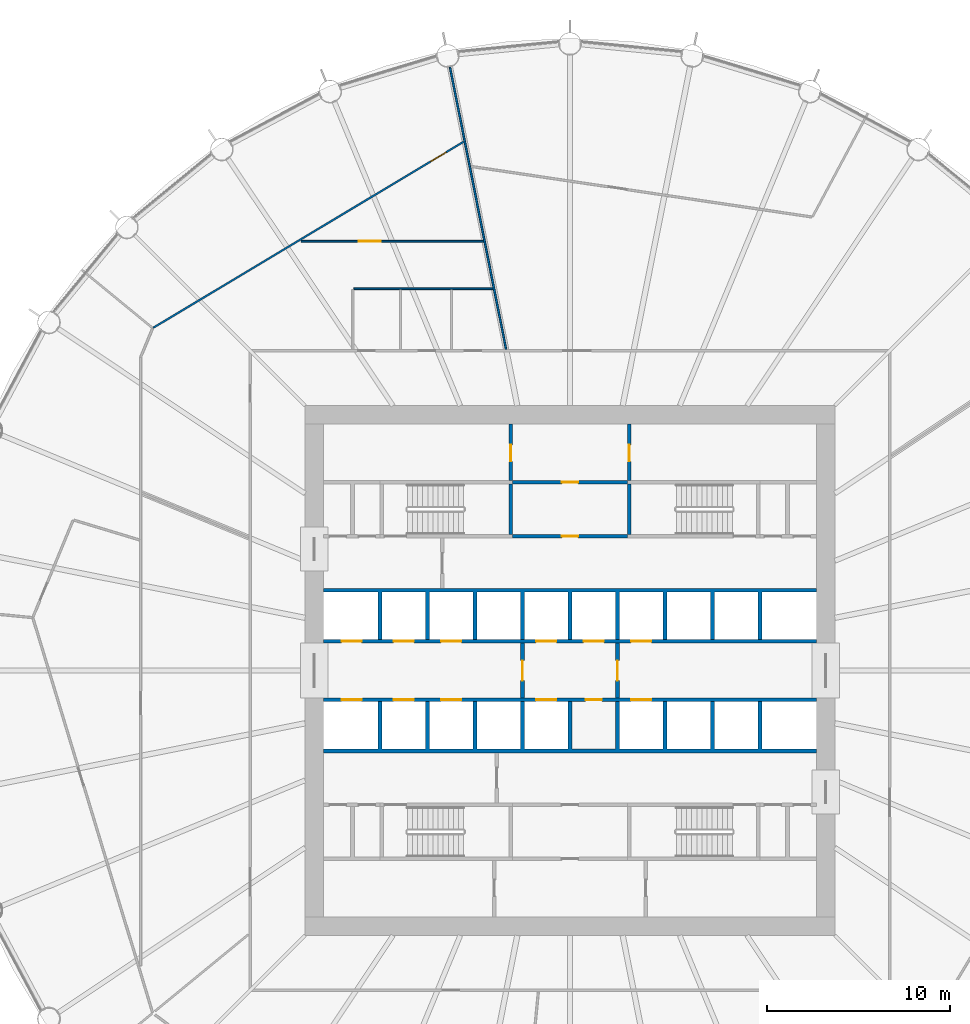
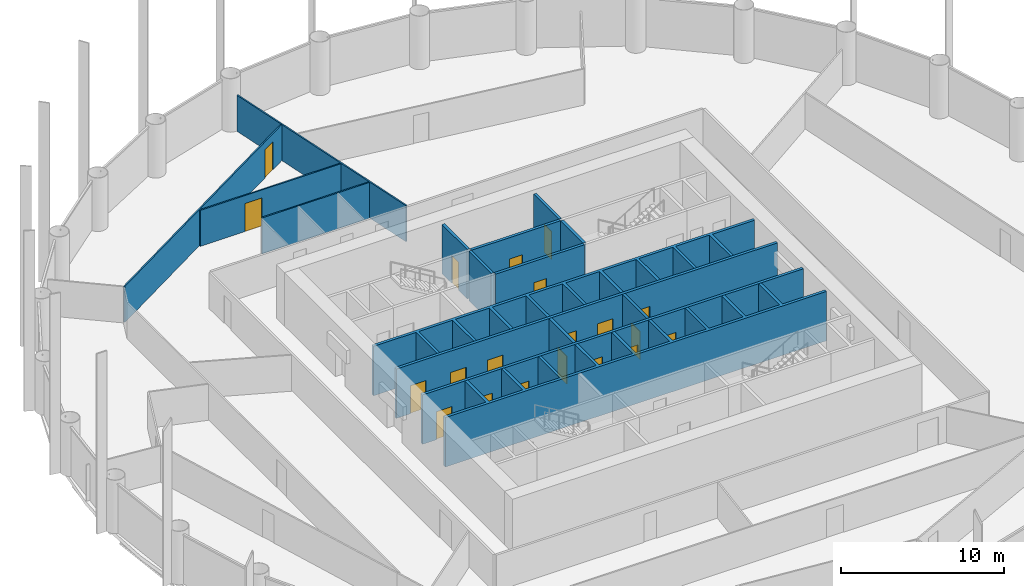
# One storey, part 6 of 10: 20 doors, 16 walls, 20 openings.
"""IFC4 building model written with IfcOpenShell, lengths in metres."""

from ifc_helpers import new_model, si_unit, direction, frame, frame_2d, origin, place, context, subcontext, project, spatial, polyline, rectangle, outline, extrude, material, layer, layer_set, type_object, element, fill, save


model = new_model("IFC4")

# Units and contexts
model_context = context("Model", 3, precision=1e-05, world=origin(), true_north=direction((0.0, 1.0)))
body_context = subcontext(model_context, "Body", "Model", "MODEL_VIEW")
ifc_project = project(units=[si_unit("LENGTHUNIT", "METRE"), si_unit("AREAUNIT", "SQUARE_METRE"), si_unit("VOLUMEUNIT", "CUBIC_METRE"), si_unit("PLANEANGLEUNIT", "RADIAN"), si_unit("MASSUNIT", "GRAM", prefix="KILO")], contexts=[model_context])

# Site, building, storey
site_placement = place(None, origin())
site = spatial("IfcSite", under=ifc_project, at=site_placement, CompositionType="ELEMENT")
building_placement = place(site_placement, origin())
building = spatial("IfcBuilding", under=site, at=building_placement, Name="Corvane Civic Tower", CompositionType="ELEMENT")
storey_placement = place(building_placement, frame((0.0, 0.0, 130.5)))
storey = spatial("IfcBuildingStorey", under=building, at=storey_placement, Name="L30", CompositionType="ELEMENT", Elevation=130.5)

# Wall, openings, doors
ifc_material_1 = material(Name="Concrete C30/37", Category="concrete")
ifc_layer_1 = layer(ifc_material_1, 0.199951171875)
ifc_layer_set_1 = layer_set([ifc_layer_1], Name="Concrete C30/37")
wall_type_1 = type_object("IfcWallType", Name="CR-WALL-200", PredefinedType="PARTITIONING", material=ifc_layer_set_1)
wall_1_placement = place(storey_placement, frame((-13.5, -1.60009765625, 0.0), z_axis=(0.0, 0.0, 1.0), x_axis=(1.0, 0.0, 0.0)))
wall_1 = element("IfcWall", 1, at=wall_1_placement, inside=storey, type_object=wall_type_1, Name="L30 lift shaft wall", PredefinedType="PARTITIONING", context=body_context, shape_type="SweptSolid", body=[
    extrude(rectangle(XDim=27.0, YDim=0.199951171875, at=frame_2d((13.5, 0.0))), origin(), (0.0, 0.0, 1.0), 3.699951171875),
])
opening_1_placement = place(wall_1_placement, frame((1.0, 0.0, 0.0)))
opening_1 = element("IfcOpeningElement", 2, at=opening_1_placement, cuts=wall_1, Name="Opening LD", PredefinedType="OPENING", context=body_context, shape_type="SweptSolid", body=[
    extrude(rectangle(XDim=1.10009765625, YDim=2.10009765625, at=frame_2d((0.550048828125, 1.050048828125))), frame((0.0, 0.10986328125, 0.0), z_axis=(0.0, -1.0, 0.0), x_axis=(1.0, 0.0, 0.0)), (0.0, 0.0, 1.0), 0.219970703125),
])
opening_2_placement = place(wall_1_placement, frame((3.85009765625, 0.0, 0.0)))
opening_2 = element("IfcOpeningElement", 3, at=opening_2_placement, cuts=wall_1, Name="Opening LD", PredefinedType="OPENING", context=body_context, shape_type="SweptSolid", body=[
    extrude(rectangle(XDim=1.10009765625, YDim=2.10009765625, at=frame_2d((0.550048828125, 1.050048828125))), frame((0.0, 0.10986328125, 0.0), z_axis=(0.0, -1.0, 0.0), x_axis=(1.0, 0.0, 0.0)), (0.0, 0.0, 1.0), 0.219970703125),
])
opening_3_placement = place(wall_1_placement, frame((6.449951171875, 0.0, 0.0)))
opening_3 = element("IfcOpeningElement", 4, at=opening_3_placement, cuts=wall_1, Name="Opening LD", PredefinedType="OPENING", context=body_context, shape_type="SweptSolid", body=[
    extrude(rectangle(XDim=1.10009765625, YDim=2.10009765625, at=frame_2d((0.550048828125, 1.050048828125))), frame((0.0, 0.10986328125, 0.0), z_axis=(0.0, -1.0, 0.0), x_axis=(1.0, 0.0, 0.0)), (0.0, 0.0, 1.0), 0.219970703125),
])
opening_4_placement = place(wall_1_placement, frame((11.64990234375, 0.0, 0.0)))
opening_4 = element("IfcOpeningElement", 5, at=opening_4_placement, cuts=wall_1, Name="Opening LD", PredefinedType="OPENING", context=body_context, shape_type="SweptSolid", body=[
    extrude(rectangle(XDim=1.10009765625, YDim=2.10009765625, at=frame_2d((0.550048828125, 1.050048828125))), frame((0.0, 0.10986328125, 0.0), z_axis=(0.0, -1.0, 0.0), x_axis=(1.0, 0.0, 0.0)), (0.0, 0.0, 1.0), 0.219970703125),
])
opening_5_placement = place(wall_1_placement, frame((14.35009765625, 0.0, 0.0)))
opening_5 = element("IfcOpeningElement", 6, at=opening_5_placement, cuts=wall_1, Name="Opening L30.C01", PredefinedType="OPENING", context=body_context, shape_type="SweptSolid", body=[
    extrude(rectangle(XDim=0.89990234375, YDim=2.10009765625, at=frame_2d((0.449951171875, 1.050048828125))), frame((0.0, 0.10986328125, 0.0), z_axis=(0.0, -1.0, 0.0), x_axis=(1.0, 0.0, 0.0)), (0.0, 0.0, 1.0), 0.219970703125),
])
opening_6_placement = place(wall_1_placement, frame((16.85009765625, 0.0, 0.0)))
opening_6 = element("IfcOpeningElement", 7, at=opening_6_placement, cuts=wall_1, Name="Opening LD", PredefinedType="OPENING", context=body_context, shape_type="SweptSolid", body=[
    extrude(rectangle(XDim=1.10009765625, YDim=2.10009765625, at=frame_2d((0.550048828125, 1.050048828125))), frame((0.0, 0.10986328125, 0.0), z_axis=(0.0, -1.0, 0.0), x_axis=(1.0, 0.0, 0.0)), (0.0, 0.0, 1.0), 0.219970703125),
])
ifc_material_2 = material(Name="Steel fire door leaf", Category="steel")
door_type_1 = type_object("IfcDoorType", Name="CR-DOOR-900", OperationType="SINGLE_SWING_LEFT", PredefinedType="DOOR", material=ifc_material_2)
door_1_placement = place(opening_5_placement, origin())
door_1 = element("IfcDoor", 8, at=door_1_placement, inside=storey, type_object=door_type_1, Name="L30 door", OperationType="SINGLE_SWING_LEFT", OverallHeight=2.10009765625, OverallWidth=0.89990234375, PredefinedType="DOOR", context=body_context, shape_type="SweptSolid", body=[
    extrude(rectangle(XDim=0.89990234375, YDim=2.10009765625, at=frame_2d((0.449951171875, 1.050048828125))), frame((0.0, 0.02490234375, 0.0), z_axis=(0.0, -1.0, 0.0), x_axis=(1.0, 0.0, 0.0)), (0.0, 0.0, 1.0), 0.050048828125),
])
fill(opening_5, door_1)
ifc_material_3 = material(Name="Stainless steel 316 door leaves", Category="steel")
door_type_2 = type_object("IfcDoorType", Name="LD", OperationType="DOUBLE_DOOR_SLIDING", PredefinedType="DOOR", material=ifc_material_3)
door_2_placement = place(opening_1_placement, origin())
door_2 = element("IfcDoor", 9, at=door_2_placement, inside=storey, type_object=door_type_2, Name="L30 landing door", OperationType="DOUBLE_DOOR_SLIDING", OverallHeight=2.10009765625, OverallWidth=1.10009765625, PredefinedType="DOOR", context=body_context, shape_type="SweptSolid", body=[
    extrude(rectangle(XDim=1.10009765625, YDim=2.10009765625, at=frame_2d((0.550048828125, 1.050048828125))), frame((0.0, 0.02490234375, 0.0), z_axis=(0.0, -1.0, 0.0), x_axis=(1.0, 0.0, 0.0)), (0.0, 0.0, 1.0), 0.050048828125),
])
fill(opening_1, door_2)
door_3_placement = place(opening_2_placement, origin())
door_3 = element("IfcDoor", 10, at=door_3_placement, inside=storey, type_object=door_type_2, Name="L30 landing door", OperationType="DOUBLE_DOOR_SLIDING", OverallHeight=2.10009765625, OverallWidth=1.10009765625, PredefinedType="DOOR", context=body_context, shape_type="SweptSolid", body=[
    extrude(rectangle(XDim=1.10009765625, YDim=2.10009765625, at=frame_2d((0.550048828125, 1.050048828125))), frame((0.0, 0.02490234375, 0.0), z_axis=(0.0, -1.0, 0.0), x_axis=(1.0, 0.0, 0.0)), (0.0, 0.0, 1.0), 0.050048828125),
])
fill(opening_2, door_3)
door_4_placement = place(opening_3_placement, origin())
door_4 = element("IfcDoor", 11, at=door_4_placement, inside=storey, type_object=door_type_2, Name="L30 landing door", OperationType="DOUBLE_DOOR_SLIDING", OverallHeight=2.10009765625, OverallWidth=1.10009765625, PredefinedType="DOOR", context=body_context, shape_type="SweptSolid", body=[
    extrude(rectangle(XDim=1.10009765625, YDim=2.10009765625, at=frame_2d((0.550048828125, 1.050048828125))), frame((0.0, 0.02490234375, 0.0), z_axis=(0.0, -1.0, 0.0), x_axis=(1.0, 0.0, 0.0)), (0.0, 0.0, 1.0), 0.050048828125),
])
fill(opening_3, door_4)
door_5_placement = place(opening_4_placement, origin())
door_5 = element("IfcDoor", 12, at=door_5_placement, inside=storey, type_object=door_type_2, Name="L30 landing door", OperationType="DOUBLE_DOOR_SLIDING", OverallHeight=2.10009765625, OverallWidth=1.10009765625, PredefinedType="DOOR", context=body_context, shape_type="SweptSolid", body=[
    extrude(rectangle(XDim=1.10009765625, YDim=2.10009765625, at=frame_2d((0.550048828125, 1.050048828125))), frame((0.0, 0.02490234375, 0.0), z_axis=(0.0, -1.0, 0.0), x_axis=(1.0, 0.0, 0.0)), (0.0, 0.0, 1.0), 0.050048828125),
])
fill(opening_4, door_5)
door_6_placement = place(opening_6_placement, origin())
door_6 = element("IfcDoor", 13, at=door_6_placement, inside=storey, type_object=door_type_2, Name="L30 landing door", OperationType="DOUBLE_DOOR_SLIDING", OverallHeight=2.10009765625, OverallWidth=1.10009765625, PredefinedType="DOOR", context=body_context, shape_type="SweptSolid", body=[
    extrude(rectangle(XDim=1.10009765625, YDim=2.10009765625, at=frame_2d((0.550048828125, 1.050048828125))), frame((0.0, 0.02490234375, 0.0), z_axis=(0.0, -1.0, 0.0), x_axis=(1.0, 0.0, 0.0)), (0.0, 0.0, 1.0), 0.050048828125),
])
fill(opening_6, door_6)

wall_2_placement = place(storey_placement, frame((-13.5, 1.60009765625, 0.0), z_axis=(0.0, 0.0, 1.0), x_axis=(1.0, 0.0, 0.0)))
wall_2 = element("IfcWall", 14, at=wall_2_placement, inside=storey, type_object=wall_type_1, Name="L30 lift shaft wall", PredefinedType="PARTITIONING", context=body_context, shape_type="SweptSolid", body=[
    extrude(rectangle(XDim=27.0, YDim=0.199951171875, at=frame_2d((13.5, 0.0))), origin(), (0.0, 0.0, 1.0), 3.699951171875),
])
opening_7_placement = place(wall_2_placement, frame((1.0, 0.0, 0.0)))
opening_7 = element("IfcOpeningElement", 15, at=opening_7_placement, cuts=wall_2, Name="Opening LD", PredefinedType="OPENING", context=body_context, shape_type="SweptSolid", body=[
    extrude(rectangle(XDim=1.10009765625, YDim=2.10009765625, at=frame_2d((0.550048828125, 1.050048828125))), frame((0.0, 0.10986328125, 0.0), z_axis=(0.0, -1.0, 0.0), x_axis=(1.0, 0.0, 0.0)), (0.0, 0.0, 1.0), 0.219970703125),
])
opening_8_placement = place(wall_2_placement, frame((3.85009765625, 0.0, 0.0)))
opening_8 = element("IfcOpeningElement", 16, at=opening_8_placement, cuts=wall_2, Name="Opening LD", PredefinedType="OPENING", context=body_context, shape_type="SweptSolid", body=[
    extrude(rectangle(XDim=1.10009765625, YDim=2.10009765625, at=frame_2d((0.550048828125, 1.050048828125))), frame((0.0, 0.10986328125, 0.0), z_axis=(0.0, -1.0, 0.0), x_axis=(1.0, 0.0, 0.0)), (0.0, 0.0, 1.0), 0.219970703125),
])
opening_9_placement = place(wall_2_placement, frame((6.449951171875, 0.0, 0.0)))
opening_9 = element("IfcOpeningElement", 17, at=opening_9_placement, cuts=wall_2, Name="Opening LD", PredefinedType="OPENING", context=body_context, shape_type="SweptSolid", body=[
    extrude(rectangle(XDim=1.10009765625, YDim=2.10009765625, at=frame_2d((0.550048828125, 1.050048828125))), frame((0.0, 0.10986328125, 0.0), z_axis=(0.0, -1.0, 0.0), x_axis=(1.0, 0.0, 0.0)), (0.0, 0.0, 1.0), 0.219970703125),
])
opening_10_placement = place(wall_2_placement, frame((11.64990234375, 0.0, 0.0)))
opening_10 = element("IfcOpeningElement", 18, at=opening_10_placement, cuts=wall_2, Name="Opening LD", PredefinedType="OPENING", context=body_context, shape_type="SweptSolid", body=[
    extrude(rectangle(XDim=1.10009765625, YDim=2.10009765625, at=frame_2d((0.550048828125, 1.050048828125))), frame((0.0, 0.10986328125, 0.0), z_axis=(0.0, -1.0, 0.0), x_axis=(1.0, 0.0, 0.0)), (0.0, 0.0, 1.0), 0.219970703125),
])
opening_11_placement = place(wall_2_placement, frame((14.25, 0.0, 0.0)))
opening_11 = element("IfcOpeningElement", 19, at=opening_11_placement, cuts=wall_2, Name="Opening LD", PredefinedType="OPENING", context=body_context, shape_type="SweptSolid", body=[
    extrude(rectangle(XDim=1.10009765625, YDim=2.10009765625, at=frame_2d((0.550048828125, 1.050048828125))), frame((0.0, 0.10986328125, 0.0), z_axis=(0.0, -1.0, 0.0), x_axis=(1.0, 0.0, 0.0)), (0.0, 0.0, 1.0), 0.219970703125),
])
opening_12_placement = place(wall_2_placement, frame((16.85009765625, 0.0, 0.0)))
opening_12 = element("IfcOpeningElement", 20, at=opening_12_placement, cuts=wall_2, Name="Opening LD", PredefinedType="OPENING", context=body_context, shape_type="SweptSolid", body=[
    extrude(rectangle(XDim=1.10009765625, YDim=2.10009765625, at=frame_2d((0.550048828125, 1.050048828125))), frame((0.0, 0.10986328125, 0.0), z_axis=(0.0, -1.0, 0.0), x_axis=(1.0, 0.0, 0.0)), (0.0, 0.0, 1.0), 0.219970703125),
])
door_7_placement = place(opening_7_placement, origin())
door_7 = element("IfcDoor", 21, at=door_7_placement, inside=storey, type_object=door_type_2, Name="L30 landing door", OperationType="DOUBLE_DOOR_SLIDING", OverallHeight=2.10009765625, OverallWidth=1.10009765625, PredefinedType="DOOR", context=body_context, shape_type="SweptSolid", body=[
    extrude(rectangle(XDim=1.10009765625, YDim=2.10009765625, at=frame_2d((0.550048828125, 1.050048828125))), frame((0.0, 0.02490234375, 0.0), z_axis=(0.0, -1.0, 0.0), x_axis=(1.0, 0.0, 0.0)), (0.0, 0.0, 1.0), 0.050048828125),
])
fill(opening_7, door_7)
door_8_placement = place(opening_8_placement, origin())
door_8 = element("IfcDoor", 22, at=door_8_placement, inside=storey, type_object=door_type_2, Name="L30 landing door", OperationType="DOUBLE_DOOR_SLIDING", OverallHeight=2.10009765625, OverallWidth=1.10009765625, PredefinedType="DOOR", context=body_context, shape_type="SweptSolid", body=[
    extrude(rectangle(XDim=1.10009765625, YDim=2.10009765625, at=frame_2d((0.550048828125, 1.050048828125))), frame((0.0, 0.02490234375, 0.0), z_axis=(0.0, -1.0, 0.0), x_axis=(1.0, 0.0, 0.0)), (0.0, 0.0, 1.0), 0.050048828125),
])
fill(opening_8, door_8)
door_9_placement = place(opening_9_placement, origin())
door_9 = element("IfcDoor", 23, at=door_9_placement, inside=storey, type_object=door_type_2, Name="L30 landing door", OperationType="DOUBLE_DOOR_SLIDING", OverallHeight=2.10009765625, OverallWidth=1.10009765625, PredefinedType="DOOR", context=body_context, shape_type="SweptSolid", body=[
    extrude(rectangle(XDim=1.10009765625, YDim=2.10009765625, at=frame_2d((0.550048828125, 1.050048828125))), frame((0.0, 0.02490234375, 0.0), z_axis=(0.0, -1.0, 0.0), x_axis=(1.0, 0.0, 0.0)), (0.0, 0.0, 1.0), 0.050048828125),
])
fill(opening_9, door_9)
door_10_placement = place(opening_10_placement, origin())
door_10 = element("IfcDoor", 24, at=door_10_placement, inside=storey, type_object=door_type_2, Name="L30 landing door", OperationType="DOUBLE_DOOR_SLIDING", OverallHeight=2.10009765625, OverallWidth=1.10009765625, PredefinedType="DOOR", context=body_context, shape_type="SweptSolid", body=[
    extrude(rectangle(XDim=1.10009765625, YDim=2.10009765625, at=frame_2d((0.550048828125, 1.050048828125))), frame((0.0, 0.02490234375, 0.0), z_axis=(0.0, -1.0, 0.0), x_axis=(1.0, 0.0, 0.0)), (0.0, 0.0, 1.0), 0.050048828125),
])
fill(opening_10, door_10)
door_11_placement = place(opening_11_placement, origin())
door_11 = element("IfcDoor", 25, at=door_11_placement, inside=storey, type_object=door_type_2, Name="L30 landing door", OperationType="DOUBLE_DOOR_SLIDING", OverallHeight=2.10009765625, OverallWidth=1.10009765625, PredefinedType="DOOR", context=body_context, shape_type="SweptSolid", body=[
    extrude(rectangle(XDim=1.10009765625, YDim=2.10009765625, at=frame_2d((0.550048828125, 1.050048828125))), frame((0.0, 0.02490234375, 0.0), z_axis=(0.0, -1.0, 0.0), x_axis=(1.0, 0.0, 0.0)), (0.0, 0.0, 1.0), 0.050048828125),
])
fill(opening_11, door_11)
door_12_placement = place(opening_12_placement, origin())
door_12 = element("IfcDoor", 26, at=door_12_placement, inside=storey, type_object=door_type_2, Name="L30 landing door", OperationType="DOUBLE_DOOR_SLIDING", OverallHeight=2.10009765625, OverallWidth=1.10009765625, PredefinedType="DOOR", context=body_context, shape_type="SweptSolid", body=[
    extrude(rectangle(XDim=1.10009765625, YDim=2.10009765625, at=frame_2d((0.550048828125, 1.050048828125))), frame((0.0, 0.02490234375, 0.0), z_axis=(0.0, -1.0, 0.0), x_axis=(1.0, 0.0, 0.0)), (0.0, 0.0, 1.0), 0.050048828125),
])
fill(opening_12, door_12)

# Wall, opening, door
wall_3_placement = place(storey_placement, frame((-3.14990234375, 7.35009765625, 0.0), z_axis=(0.0, 0.0, 1.0), x_axis=(1.0, 0.0, 0.0)))
wall_3 = element("IfcWall", 27, at=wall_3_placement, inside=storey, type_object=wall_type_1, Name="L30 core partition wall", PredefinedType="PARTITIONING", context=body_context, shape_type="SweptSolid", body=[
    extrude(rectangle(XDim=6.2998046875, YDim=0.199951171875, at=frame_2d((3.14990234375, 0.0))), origin(), (0.0, 0.0, 1.0), 3.699951171875),
])
opening_13_placement = place(wall_3_placement, frame((2.699951171875, 0.0, 0.0)))
opening_13 = element("IfcOpeningElement", 28, at=opening_13_placement, cuts=wall_3, Name="Opening L30.C02", PredefinedType="OPENING", context=body_context, shape_type="SweptSolid", body=[
    extrude(rectangle(XDim=0.89990234375, YDim=2.10009765625, at=frame_2d((0.449951171875, 1.050048828125))), frame((0.0, 0.10986328125, 0.0), z_axis=(0.0, -1.0, 0.0), x_axis=(1.0, 0.0, 0.0)), (0.0, 0.0, 1.0), 0.219970703125),
])
door_13_placement = place(opening_13_placement, origin())
door_13 = element("IfcDoor", 29, at=door_13_placement, inside=storey, type_object=door_type_1, Name="L30 door", OperationType="SINGLE_SWING_LEFT", OverallHeight=2.10009765625, OverallWidth=0.89990234375, PredefinedType="DOOR", context=body_context, shape_type="SweptSolid", body=[
    extrude(rectangle(XDim=0.89990234375, YDim=2.10009765625, at=frame_2d((0.449951171875, 1.050048828125))), frame((0.0, 0.02490234375, 0.0), z_axis=(0.0, -1.0, 0.0), x_axis=(1.0, 0.0, 0.0)), (0.0, 0.0, 1.0), 0.050048828125),
])
fill(opening_13, door_13)

wall_4_placement = place(storey_placement, frame((-3.14990234375, 10.300048828125, 0.0), z_axis=(0.0, 0.0, 1.0), x_axis=(1.0, 0.0, 0.0)))
wall_4 = element("IfcWall", 30, at=wall_4_placement, inside=storey, type_object=wall_type_1, Name="L30 partition wall", PredefinedType="PARTITIONING", context=body_context, shape_type="SweptSolid", body=[
    extrude(rectangle(XDim=6.2998046875, YDim=0.199951171875, at=frame_2d((3.14990234375, 0.0))), origin(), (0.0, 0.0, 1.0), 3.699951171875),
])
opening_14_placement = place(wall_4_placement, frame((2.699951171875, 0.0, 0.0)))
opening_14 = element("IfcOpeningElement", 31, at=opening_14_placement, cuts=wall_4, Name="Opening L30.C05", PredefinedType="OPENING", context=body_context, shape_type="SweptSolid", body=[
    extrude(rectangle(XDim=0.89990234375, YDim=2.10009765625, at=frame_2d((0.449951171875, 1.050048828125))), frame((0.0, 0.10986328125, 0.0), z_axis=(0.0, -1.0, 0.0), x_axis=(1.0, 0.0, 0.0)), (0.0, 0.0, 1.0), 0.219970703125),
])
door_14_placement = place(opening_14_placement, origin())
door_14 = element("IfcDoor", 32, at=door_14_placement, inside=storey, type_object=door_type_1, Name="L30 door", OperationType="SINGLE_SWING_LEFT", OverallHeight=2.10009765625, OverallWidth=0.89990234375, PredefinedType="DOOR", context=body_context, shape_type="SweptSolid", body=[
    extrude(rectangle(XDim=0.89990234375, YDim=2.10009765625, at=frame_2d((0.449951171875, 1.050048828125))), frame((0.0, 0.02490234375, 0.0), z_axis=(0.0, -1.0, 0.0), x_axis=(1.0, 0.0, 0.0)), (0.0, 0.0, 1.0), 0.050048828125),
])
fill(opening_14, door_14)

wall_5_placement = place(storey_placement, frame((-3.25, 10.39990234375, 0.0), z_axis=(0.0, 0.0, 1.0), x_axis=(0.0, 1.0, 0.0)))
wall_5 = element("IfcWall", 33, at=wall_5_placement, inside=storey, type_object=wall_type_1, Name="L30 partition wall", PredefinedType="PARTITIONING", context=body_context, shape_type="SweptSolid", body=[
    extrude(rectangle(XDim=3.10009765625, YDim=0.199951171875, at=frame_2d((1.550048828125, 0.0))), origin(), (0.0, 0.0, 1.0), 3.699951171875),
])
opening_15_placement = place(wall_5_placement, frame((1.050048828125, 0.0, 0.0)))
opening_15 = element("IfcOpeningElement", 34, at=opening_15_placement, cuts=wall_5, Name="Opening L30.C04", PredefinedType="OPENING", context=body_context, shape_type="SweptSolid", body=[
    extrude(rectangle(XDim=0.89990234375, YDim=2.10009765625, at=frame_2d((0.449951171875, 1.050048828125))), frame((0.0, 0.10986328125, 0.0), z_axis=(0.0, -1.0, 0.0), x_axis=(1.0, 0.0, 0.0)), (0.0, 0.0, 1.0), 0.219970703125),
])
door_15_placement = place(opening_15_placement, origin())
door_15 = element("IfcDoor", 35, at=door_15_placement, inside=storey, type_object=door_type_1, Name="L30 door", OperationType="SINGLE_SWING_LEFT", OverallHeight=2.10009765625, OverallWidth=0.89990234375, PredefinedType="DOOR", context=body_context, shape_type="SweptSolid", body=[
    extrude(rectangle(XDim=0.89990234375, YDim=2.10009765625, at=frame_2d((0.449951171875, 1.050048828125))), frame((0.0, 0.02490234375, 0.0), z_axis=(0.0, -1.0, 0.0), x_axis=(1.0, 0.0, 0.0)), (0.0, 0.0, 1.0), 0.050048828125),
])
fill(opening_15, door_15)

wall_6_placement = place(storey_placement, frame((-2.60009765625, -1.5, 0.0), z_axis=(0.0, 0.0, 1.0), x_axis=(0.0, 1.0, 0.0)))
wall_6 = element("IfcWall", 36, at=wall_6_placement, inside=storey, type_object=wall_type_1, Name="L30 firefighting lobby wall", PredefinedType="PARTITIONING", context=body_context, shape_type="SweptSolid", body=[
    extrude(rectangle(XDim=3.0, YDim=0.199951171875, at=frame_2d((1.5, 0.0))), origin(), (0.0, 0.0, 1.0), 3.699951171875),
])
opening_16_placement = place(wall_6_placement, frame((0.949951171875, 0.0, 0.0)))
opening_16 = element("IfcOpeningElement", 37, at=opening_16_placement, cuts=wall_6, Name="Opening L30.C22", PredefinedType="OPENING", context=body_context, shape_type="SweptSolid", body=[
    extrude(rectangle(XDim=1.10009765625, YDim=2.10009765625, at=frame_2d((0.550048828125, 1.050048828125))), frame((0.0, 0.10986328125, 0.0), z_axis=(0.0, -1.0, 0.0), x_axis=(1.0, 0.0, 0.0)), (0.0, 0.0, 1.0), 0.219970703125),
])
ifc_material_4 = material(Name="Steel fire door leaf", Category="steel")
door_type_3 = type_object("IfcDoorType", Name="CR-DOOR-FFL-1100", OperationType="SINGLE_SWING_LEFT", PredefinedType="DOOR", material=ifc_material_4)
door_16_placement = place(opening_16_placement, origin())
door_16 = element("IfcDoor", 38, at=door_16_placement, inside=storey, type_object=door_type_3, Name="L30 lobby door", OperationType="SINGLE_SWING_LEFT", OverallHeight=2.10009765625, OverallWidth=1.10009765625, PredefinedType="DOOR", context=body_context, shape_type="SweptSolid", body=[
    extrude(rectangle(XDim=1.10009765625, YDim=2.10009765625, at=frame_2d((0.550048828125, 1.050048828125))), frame((0.0, 0.02490234375, 0.0), z_axis=(0.0, -1.0, 0.0), x_axis=(1.0, 0.0, 0.0)), (0.0, 0.0, 1.0), 0.050048828125),
])
fill(opening_16, door_16)

wall_7_placement = place(storey_placement, frame((2.60009765625, -1.5, 0.0), z_axis=(0.0, 0.0, 1.0), x_axis=(0.0, 1.0, 0.0)))
wall_7 = element("IfcWall", 39, at=wall_7_placement, inside=storey, type_object=wall_type_1, Name="L30 firefighting lobby wall", PredefinedType="PARTITIONING", context=body_context, shape_type="SweptSolid", body=[
    extrude(rectangle(XDim=3.0, YDim=0.199951171875, at=frame_2d((1.5, 0.0))), origin(), (0.0, 0.0, 1.0), 3.699951171875),
])
opening_17_placement = place(wall_7_placement, frame((0.949951171875, 0.0, 0.0)))
opening_17 = element("IfcOpeningElement", 40, at=opening_17_placement, cuts=wall_7, Name="Opening L30.C23", PredefinedType="OPENING", context=body_context, shape_type="SweptSolid", body=[
    extrude(rectangle(XDim=1.10009765625, YDim=2.10009765625, at=frame_2d((0.550048828125, 1.050048828125))), frame((0.0, 0.10986328125, 0.0), z_axis=(0.0, -1.0, 0.0), x_axis=(1.0, 0.0, 0.0)), (0.0, 0.0, 1.0), 0.219970703125),
])
door_17_placement = place(opening_17_placement, origin())
door_17 = element("IfcDoor", 41, at=door_17_placement, inside=storey, type_object=door_type_3, Name="L30 lobby door", OperationType="SINGLE_SWING_LEFT", OverallHeight=2.10009765625, OverallWidth=1.10009765625, PredefinedType="DOOR", context=body_context, shape_type="SweptSolid", body=[
    extrude(rectangle(XDim=1.10009765625, YDim=2.10009765625, at=frame_2d((0.550048828125, 1.050048828125))), frame((0.0, 0.02490234375, 0.0), z_axis=(0.0, -1.0, 0.0), x_axis=(1.0, 0.0, 0.0)), (0.0, 0.0, 1.0), 0.050048828125),
])
fill(opening_17, door_17)

wall_8_placement = place(storey_placement, frame((3.25, 10.39990234375, 0.0), z_axis=(0.0, 0.0, 1.0), x_axis=(0.0, 1.0, 0.0)))
wall_8 = element("IfcWall", 42, at=wall_8_placement, inside=storey, type_object=wall_type_1, Name="L30 partition wall", PredefinedType="PARTITIONING", context=body_context, shape_type="SweptSolid", body=[
    extrude(rectangle(XDim=3.10009765625, YDim=0.199951171875, at=frame_2d((1.550048828125, 0.0))), origin(), (0.0, 0.0, 1.0), 3.699951171875),
])
opening_18_placement = place(wall_8_placement, frame((1.050048828125, 0.0, 0.0)))
opening_18 = element("IfcOpeningElement", 43, at=opening_18_placement, cuts=wall_8, Name="Opening L30.C06", PredefinedType="OPENING", context=body_context, shape_type="SweptSolid", body=[
    extrude(rectangle(XDim=0.89990234375, YDim=2.10009765625, at=frame_2d((0.449951171875, 1.050048828125))), frame((0.0, 0.10986328125, 0.0), z_axis=(0.0, -1.0, 0.0), x_axis=(1.0, 0.0, 0.0)), (0.0, 0.0, 1.0), 0.219970703125),
])
door_18_placement = place(opening_18_placement, origin())
door_18 = element("IfcDoor", 44, at=door_18_placement, inside=storey, type_object=door_type_1, Name="L30 door", OperationType="SINGLE_SWING_LEFT", OverallHeight=2.10009765625, OverallWidth=0.89990234375, PredefinedType="DOOR", context=body_context, shape_type="SweptSolid", body=[
    extrude(rectangle(XDim=0.89990234375, YDim=2.10009765625, at=frame_2d((0.449951171875, 1.050048828125))), frame((0.0, 0.02490234375, 0.0), z_axis=(0.0, -1.0, 0.0), x_axis=(1.0, 0.0, 0.0)), (0.0, 0.0, 1.0), 0.050048828125),
])
fill(opening_18, door_18)

# Walls
wall_9_placement = place(storey_placement, origin())
element("IfcWall", 45, at=wall_9_placement, inside=storey, type_object=wall_type_1, Name="L30 core partition wall", PredefinedType="PARTITIONING", context=body_context, shape_type="SweptSolid", body=[
    extrude(outline(polyline([(-10.300048828125, -1.699951171875), (-10.300048828125, -4.300048828125), (-7.89990234375, -4.300048828125), (-7.89990234375, -1.699951171875), (-7.699951171875, -1.699951171875), (-7.699951171875, -4.300048828125), (-5.300048828125, -4.300048828125), (-5.300048828125, -1.699951171875), (-5.10009765625, -1.699951171875), (-5.10009765625, -4.300048828125), (-2.699951171875, -4.300048828125), (-2.699951171875, -1.699951171875), (-2.5, -1.699951171875), (-2.5, -4.300048828125), (-0.10009765625, -4.300048828125), (-0.10009765625, -1.699951171875), (0.10009765625, -1.699951171875), (0.10009765625, -4.300048828125), (2.5, -4.300048828125), (2.5, -1.699951171875), (2.699951171875, -1.699951171875), (2.699951171875, -4.300048828125), (5.10009765625, -4.300048828125), (5.10009765625, -1.699951171875), (5.300048828125, -1.699951171875), (5.300048828125, -4.300048828125), (7.699951171875, -4.300048828125), (7.699951171875, -1.699951171875), (7.89990234375, -1.699951171875), (7.89990234375, -4.300048828125), (10.300048828125, -4.300048828125), (10.300048828125, -1.699951171875), (10.5, -1.699951171875), (10.5, -4.300048828125), (13.5, -4.300048828125), (13.5, -4.5), (-13.5, -4.5), (-13.5, -4.300048828125), (-10.5, -4.300048828125), (-10.5, -1.699951171875), (-10.300048828125, -1.699951171875)])), origin(), (0.0, 0.0, 1.0), 3.699951171875),
])
wall_10_placement = place(storey_placement, origin())
element("IfcWall", 46, at=wall_10_placement, inside=storey, type_object=wall_type_1, Name="L30 core partition wall", PredefinedType="PARTITIONING", context=body_context, shape_type="SweptSolid", body=[
    extrude(outline(polyline([(-10.300048828125, 1.699951171875), (-10.5, 1.699951171875), (-10.5, 4.300048828125), (-13.5, 4.300048828125), (-13.5, 4.5), (13.5, 4.5), (13.5, 4.300048828125), (10.5, 4.300048828125), (10.5, 1.699951171875), (10.300048828125, 1.699951171875), (10.300048828125, 4.300048828125), (7.89990234375, 4.300048828125), (7.89990234375, 1.699951171875), (7.699951171875, 1.699951171875), (7.699951171875, 4.300048828125), (5.300048828125, 4.300048828125), (5.300048828125, 1.699951171875), (5.10009765625, 1.699951171875), (5.10009765625, 4.300048828125), (2.699951171875, 4.300048828125), (2.699951171875, 1.699951171875), (2.5, 1.699951171875), (2.5, 4.300048828125), (0.10009765625, 4.300048828125), (0.10009765625, 1.699951171875), (-0.10009765625, 1.699951171875), (-0.10009765625, 4.300048828125), (-2.5, 4.300048828125), (-2.5, 1.699951171875), (-2.699951171875, 1.699951171875), (-2.699951171875, 4.300048828125), (-5.10009765625, 4.300048828125), (-5.10009765625, 1.699951171875), (-5.300048828125, 1.699951171875), (-5.300048828125, 4.300048828125), (-7.699951171875, 4.300048828125), (-7.699951171875, 1.699951171875), (-7.89990234375, 1.699951171875), (-7.89990234375, 4.300048828125), (-10.300048828125, 4.300048828125), (-10.300048828125, 1.699951171875)])), origin(), (0.0, 0.0, 1.0), 3.699951171875),
])
ifc_material_5 = material(Name="Plasterboard")
ifc_layer_2 = layer(ifc_material_5, 0.10009765625)
ifc_layer_set_2 = layer_set([ifc_layer_2], Name="Plasterboard")
wall_type_2 = type_object("IfcWallType", Name="Partition 100 plasterboard on studs", PredefinedType="PARTITIONING", material=ifc_layer_set_2)
wall_11_placement = place(storey_placement, frame((-6.567626953125, 33.01806640625, 0.0), z_axis=(0.0, 0.0, 1.0), x_axis=(0.195086660958, -0.980786008626, 0.0)))
element("IfcWall", 47, at=wall_11_placement, inside=storey, type_object=wall_type_2, Name="Partition L30.031", PredefinedType="PARTITIONING", context=body_context, shape_type="SweptSolid", body=[
    extrude(rectangle(XDim=15.735595703125, YDim=0.10009765625, at=frame_2d((7.86767578125, 0.0))), origin(), (0.0, 0.0, 1.0), 2.699951171875),
])

# Wall, opening, door
wall_12_placement = place(storey_placement, frame((-22.807861328125, 18.7607421875, 0.0), z_axis=(0.0, 0.0, 1.0), x_axis=(0.857731098243, 0.514098592788, 0.0)))
wall_12 = element("IfcWall", 48, at=wall_12_placement, inside=storey, type_object=wall_type_2, Name="Partition L30.032", PredefinedType="PARTITIONING", context=body_context, shape_type="SweptSolid", body=[
    extrude(rectangle(XDim=19.800048828125, YDim=0.10009765625, at=frame_2d((9.89990234375, 0.0))), origin(), (0.0, 0.0, 1.0), 2.699951171875),
])
opening_19_placement = place(wall_12_placement, frame((17.693115234375, 0.0, 0.0)))
opening_19 = element("IfcOpeningElement", 49, at=opening_19_placement, cuts=wall_12, Name="Opening L30.014", PredefinedType="OPENING", context=body_context, shape_type="SweptSolid", body=[
    extrude(rectangle(XDim=1.0, YDim=2.10009765625, at=frame_2d((0.5, 1.050048828125))), frame((0.0, 0.06005859375, 0.0), z_axis=(0.0, -1.0, 0.0), x_axis=(1.0, 0.0, 0.0)), (0.0, 0.0, 1.0), 0.1201171875),
])
ifc_material_6 = material(Name="Timber", Category="wood")
door_type_4 = type_object("IfcDoorType", Name="Single door 1000", OperationType="NOTDEFINED", PredefinedType="DOOR", material=ifc_material_6)
door_19_placement = place(opening_19_placement, origin())
door_19 = element("IfcDoor", 50, at=door_19_placement, inside=storey, type_object=door_type_4, Name="Door L30.014", OperationType="SINGLE_SWING_RIGHT", OverallHeight=2.10009765625, OverallWidth=1.0, PredefinedType="DOOR", context=body_context, shape_type="SweptSolid", body=[
    extrude(rectangle(XDim=1.0, YDim=2.10009765625, at=frame_2d((0.5, 1.050048828125))), frame((0.0, 0.02490234375, 0.0), z_axis=(0.0, -1.0, 0.0), x_axis=(1.0, 0.0, 0.0)), (0.0, 0.0, 1.0), 0.050048828125),
])
fill(opening_19, door_19)

# Wall
wall_13_placement = place(storey_placement, frame((-11.8310546875, 20.89990234375, 0.0), z_axis=(0.0, 0.0, 1.0), x_axis=(1.0, 0.0, 0.0)))
element("IfcWall", 51, at=wall_13_placement, inside=storey, type_object=wall_type_2, Name="Partition L30.034", PredefinedType="PARTITIONING", context=body_context, shape_type="SweptSolid", body=[
    extrude(rectangle(XDim=7.61279296875, YDim=0.10009765625, at=frame_2d((3.806396484375, 0.0))), origin(), (0.0, 0.0, 1.0), 2.699951171875),
])

# Wall, opening, door
wall_14_placement = place(storey_placement, frame((-14.72021484375, 23.5, 0.0), z_axis=(0.0, 0.0, 1.0), x_axis=(1.0, 0.0, 0.0)))
wall_14 = element("IfcWall", 52, at=wall_14_placement, inside=storey, type_object=wall_type_2, Name="Partition L30.035", PredefinedType="PARTITIONING", context=body_context, shape_type="SweptSolid", body=[
    extrude(rectangle(XDim=9.98486328125, YDim=0.10009765625, at=frame_2d((4.992431640625, 0.0))), origin(), (0.0, 0.0, 1.0), 2.699951171875),
])
opening_20_placement = place(wall_14_placement, frame((3.1611328125, 0.0, 0.0)))
opening_20 = element("IfcOpeningElement", 53, at=opening_20_placement, cuts=wall_14, Name="Opening L30.016", PredefinedType="OPENING", context=body_context, shape_type="SweptSolid", body=[
    extrude(rectangle(XDim=1.199951171875, YDim=2.10009765625, at=frame_2d((0.60009765625, 1.050048828125))), frame((0.0, 0.06005859375, 0.0), z_axis=(0.0, -1.0, 0.0), x_axis=(1.0, 0.0, 0.0)), (0.0, 0.0, 1.0), 0.1201171875),
])
ifc_material_7 = material(Name="Timber", Category="wood")
door_type_5 = type_object("IfcDoorType", Name="Double door 1200", OperationType="NOTDEFINED", PredefinedType="DOOR", material=ifc_material_7)
door_20_placement = place(opening_20_placement, origin())
door_20 = element("IfcDoor", 54, at=door_20_placement, inside=storey, type_object=door_type_5, Name="Door L30.016", OperationType="DOUBLE_DOOR_SINGLE_SWING", OverallHeight=2.10009765625, OverallWidth=1.199951171875, PredefinedType="DOOR", context=body_context, shape_type="SweptSolid", body=[
    extrude(rectangle(XDim=1.199951171875, YDim=2.10009765625, at=frame_2d((0.60009765625, 1.050048828125))), frame((0.0, 0.02490234375, 0.0), z_axis=(0.0, -1.0, 0.0), x_axis=(1.0, 0.0, 0.0)), (0.0, 0.0, 1.0), 0.050048828125),
])
fill(opening_20, door_20)

# Walls
ifc_material_8 = material(Name="Concrete C50/60", Category="concrete")
ifc_layer_3 = layer(ifc_material_8, 0.199951171875)
ifc_layer_set_3 = layer_set([ifc_layer_3], Name="Concrete C50/60")
wall_type_3 = type_object("IfcWallType", Name="ST-WALL-200", PredefinedType="SHEAR", material=ifc_layer_set_3)
wall_15_placement = place(storey_placement, origin())
element("IfcWall", 55, at=wall_15_placement, inside=storey, type_object=wall_type_3, Name="L30 stair enclosure wall", PredefinedType="SHEAR", context=body_context, shape_type="SweptSolid", body=[
    extrude(outline(polyline([(-3.14990234375, 7.449951171875), (-3.35009765625, 7.449951171875), (-3.35009765625, 10.199951171875), (-3.14990234375, 10.199951171875), (-3.14990234375, 7.449951171875)])), origin(), (0.0, 0.0, 1.0), 3.699951171875),
])
wall_16_placement = place(storey_placement, origin())
element("IfcWall", 56, at=wall_16_placement, inside=storey, type_object=wall_type_3, Name="L30 stair enclosure wall", PredefinedType="SHEAR", context=body_context, shape_type="SweptSolid", body=[
    extrude(outline(polyline([(3.35009765625, 7.449951171875), (3.14990234375, 7.449951171875), (3.14990234375, 10.199951171875), (3.35009765625, 10.199951171875), (3.35009765625, 7.449951171875)])), origin(), (0.0, 0.0, 1.0), 3.699951171875),
])

save(model, "model.ifc")
